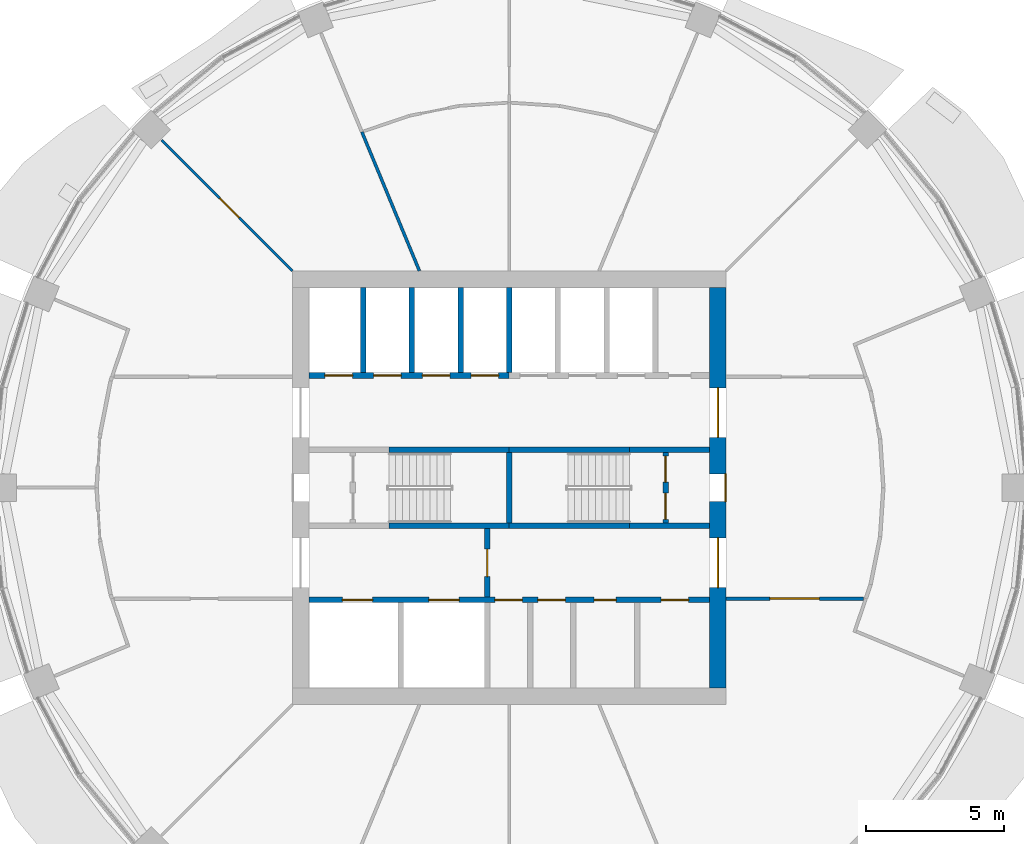
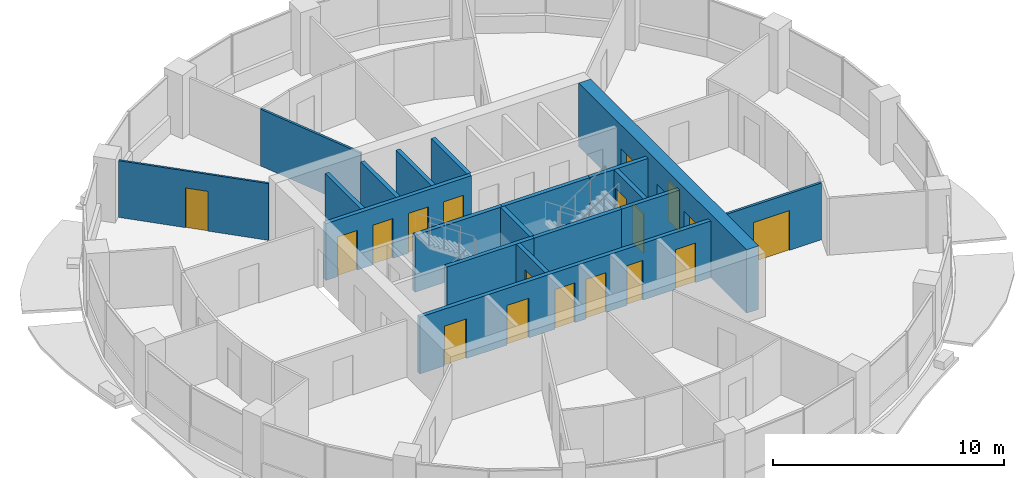
# One storey, part 9 of 15: 19 walls, 18 doors, 18 openings.
"""IFC4 building model written with IfcOpenShell, lengths in metres."""

from ifc_helpers import new_model, si_unit, direction, frame, frame_2d, origin, place, context, subcontext, project, spatial, rectangle, extrude, material, layer, layer_set, type_object, element, fill, save


model = new_model("IFC4")

# Units and contexts
model_context = context("Model", 3, precision=1e-05, world=origin(), true_north=direction((0.0, 1.0)))
body_context = subcontext(model_context, "Body", "Model", "MODEL_VIEW")
ifc_project = project(units=[si_unit("LENGTHUNIT", "METRE"), si_unit("AREAUNIT", "SQUARE_METRE"), si_unit("VOLUMEUNIT", "CUBIC_METRE"), si_unit("PLANEANGLEUNIT", "RADIAN"), si_unit("MASSUNIT", "GRAM", prefix="KILO")], contexts=[model_context])

# Site, building, storey
site_placement = place(None, origin())
site = spatial("IfcSite", under=ifc_project, at=site_placement, CompositionType="ELEMENT")
building_placement = place(site_placement, origin())
building = spatial("IfcBuilding", under=site, at=building_placement, Name="Polderwave Tower", CompositionType="ELEMENT")
storey_placement = place(building_placement, frame((0.0, 0.0, 137.699951171875)))
storey = spatial("IfcBuildingStorey", under=building, at=storey_placement, Name="L36", CompositionType="ELEMENT", Elevation=137.699951171875)

# Wall, openings, doors
ifc_material_1 = material(Name="Concrete C60/75", Category="concrete")
ifc_layer_1 = layer(ifc_material_1, 0.60009765625)
ifc_layer_set_1 = layer_set([ifc_layer_1], Name="CORE WALL 600 C60/75")
wall_type_1 = type_object("IfcWallType", Name="CORE WALL 600 C60/75", PredefinedType="SHEAR", material=ifc_layer_set_1)
wall_1_placement = place(storey_placement, frame((7.573974609375, -7.27392578125, 0.0), z_axis=(0.0, 0.0, 1.0), x_axis=(0.0, 1.0, 0.0)))
wall_1 = element("IfcWall", 1, at=wall_1_placement, inside=storey, type_object=wall_type_1, Name="ST-CORE-L36-E", PredefinedType="SHEAR", context=body_context, shape_type="SweptSolid", body=[
    extrude(rectangle(XDim=14.5478515625, YDim=0.60009765625, at=frame_2d((7.27392578125, 0.0))), origin(), (0.0, 0.0, 1.0), 3.35009765625),
])
opening_1_placement = place(wall_1_placement, frame((6.77392578125, 0.0, 0.0)))
opening_1 = element("IfcOpeningElement", 2, at=opening_1_placement, cuts=wall_1, Name="Opening L36-D23", PredefinedType="OPENING", context=body_context, shape_type="SweptSolid", body=[
    extrude(rectangle(XDim=1.0, YDim=2.10009765625, at=frame_2d((0.5, 1.050048828125))), frame((0.0, 0.31005859375, 0.0), z_axis=(0.0, -1.0, 0.0), x_axis=(1.0, 0.0, 0.0)), (0.0, 0.0, 1.0), 0.6201171875),
])
opening_2_placement = place(wall_1_placement, frame((3.6494140625, 0.0, 0.0)))
opening_2 = element("IfcOpeningElement", 3, at=opening_2_placement, cuts=wall_1, Name="Opening L36-D24", PredefinedType="OPENING", context=body_context, shape_type="SweptSolid", body=[
    extrude(rectangle(XDim=1.800048828125, YDim=2.10009765625, at=frame_2d((0.89990234375, 1.050048828125))), frame((0.0, 0.31005859375, 0.0), z_axis=(0.0, -1.0, 0.0), x_axis=(1.0, 0.0, 0.0)), (0.0, 0.0, 1.0), 0.6201171875),
])
opening_3_placement = place(wall_1_placement, frame((9.098388671875, 0.0, 0.0)))
opening_3 = element("IfcOpeningElement", 4, at=opening_3_placement, cuts=wall_1, Name="Opening L36-D25", PredefinedType="OPENING", context=body_context, shape_type="SweptSolid", body=[
    extrude(rectangle(XDim=1.800048828125, YDim=2.10009765625, at=frame_2d((0.89990234375, 1.050048828125))), frame((0.0, 0.31005859375, 0.0), z_axis=(0.0, -1.0, 0.0), x_axis=(1.0, 0.0, 0.0)), (0.0, 0.0, 1.0), 0.6201171875),
])
ifc_material_2 = material(Name="Steel fire door", Category="steel")
door_type_1 = type_object("IfcDoorType", Name="Lobby entry door pair 1800", OperationType="DOUBLE_DOOR_SINGLE_SWING", PredefinedType="DOOR", material=ifc_material_2)
door_1_placement = place(opening_2_placement, frame((1.800048828125, 0.0, 0.0), z_axis=(0.0, 0.0, 1.0), x_axis=(-1.0, 0.0, 0.0)))
door_1 = element("IfcDoor", 5, at=door_1_placement, inside=storey, type_object=door_type_1, Name="South lobby entry door", OperationType="DOUBLE_DOOR_SINGLE_SWING", OverallHeight=2.10009765625, OverallWidth=1.800048828125, PredefinedType="DOOR", context=body_context, shape_type="SweptSolid", body=[
    extrude(rectangle(XDim=1.800048828125, YDim=2.10009765625, at=frame_2d((0.89990234375, 1.050048828125))), frame((0.0, 0.02490234375, 0.0), z_axis=(0.0, -1.0, 0.0), x_axis=(1.0, 0.0, 0.0)), (0.0, 0.0, 1.0), 0.050048828125),
])
fill(opening_2, door_1)
door_2_placement = place(opening_3_placement, frame((1.800048828125, 0.0, 0.0), z_axis=(0.0, 0.0, 1.0), x_axis=(-1.0, 0.0, 0.0)))
door_2 = element("IfcDoor", 6, at=door_2_placement, inside=storey, type_object=door_type_1, Name="North lobby entry door", OperationType="DOUBLE_DOOR_SINGLE_SWING", OverallHeight=2.10009765625, OverallWidth=1.800048828125, PredefinedType="DOOR", context=body_context, shape_type="SweptSolid", body=[
    extrude(rectangle(XDim=1.800048828125, YDim=2.10009765625, at=frame_2d((0.89990234375, 1.050048828125))), frame((0.0, 0.02490234375, 0.0), z_axis=(0.0, -1.0, 0.0), x_axis=(1.0, 0.0, 0.0)), (0.0, 0.0, 1.0), 0.050048828125),
])
fill(opening_3, door_2)
door_type_2 = type_object("IfcDoorType", Name="Stair door 1000", OperationType="NOTDEFINED", PredefinedType="DOOR", material=ifc_material_2)
door_3_placement = place(opening_1_placement, frame((1.0, 0.0, 0.0), z_axis=(0.0, 0.0, 1.0), x_axis=(-1.0, 0.0, 0.0)))
door_3 = element("IfcDoor", 7, at=door_3_placement, inside=storey, type_object=door_type_2, Name="Stair B entry door", OperationType="SINGLE_SWING_LEFT", OverallHeight=2.10009765625, OverallWidth=1.0, PredefinedType="DOOR", context=body_context, shape_type="SweptSolid", body=[
    extrude(rectangle(XDim=1.0, YDim=2.10009765625, at=frame_2d((0.5, 1.050048828125))), frame((0.0, 0.2998046875, 0.0), z_axis=(0.0, -1.0, 0.0), x_axis=(1.0, 0.0, 0.0)), (0.0, 0.0, 1.0), 0.050048828125),
])
fill(opening_1, door_3)

# Wall, opening, door
ifc_material_3 = material(Name="Gypsum board partition")
ifc_layer_2 = layer(ifc_material_3, 0.199951171875)
ifc_layer_set_2 = layer_set([ifc_layer_2], Name="Core room partition 200")
wall_type_2 = type_object("IfcWallType", Name="Core room partition 200", PredefinedType="PARTITIONING", material=ifc_layer_set_2)
wall_2_placement = place(storey_placement, frame((-0.800048828125, -3.97412109375, 0.0), z_axis=(0.0, 0.0, 1.0), x_axis=(0.0, 1.0, 0.0)))
wall_2 = element("IfcWall", 8, at=wall_2_placement, inside=storey, type_object=wall_type_2, Name="L36 fire-fighting lobby wall", PredefinedType="PARTITIONING", context=body_context, shape_type="SweptSolid", body=[
    extrude(rectangle(XDim=2.4990234375, YDim=0.199951171875, at=frame_2d((1.24951171875, 0.0))), origin(), (0.0, 0.0, 1.0), 3.0),
])
opening_4_placement = place(wall_2_placement, frame((0.74951171875, 0.0, 0.0)))
opening_4 = element("IfcOpeningElement", 9, at=opening_4_placement, cuts=wall_2, Name="Opening L36-D14", PredefinedType="OPENING", context=body_context, shape_type="SweptSolid", body=[
    extrude(rectangle(XDim=1.0, YDim=2.10009765625, at=frame_2d((0.5, 1.050048828125))), frame((0.0, 0.10986328125, 0.0), z_axis=(0.0, -1.0, 0.0), x_axis=(1.0, 0.0, 0.0)), (0.0, 0.0, 1.0), 0.219970703125),
])
door_type_3 = type_object("IfcDoorType", Name="Lobby fire door 1000", OperationType="NOTDEFINED", PredefinedType="DOOR", material=ifc_material_2)
door_4_placement = place(opening_4_placement, frame((1.0, 0.0, 0.0), z_axis=(0.0, 0.0, 1.0), x_axis=(-1.0, 0.0, 0.0)))
door_4 = element("IfcDoor", 10, at=door_4_placement, inside=storey, type_object=door_type_3, Name="Fire-fighting lobby door", OperationType="SINGLE_SWING_LEFT", OverallHeight=2.10009765625, OverallWidth=1.0, PredefinedType="DOOR", context=body_context, shape_type="SweptSolid", body=[
    extrude(rectangle(XDim=1.0, YDim=2.10009765625, at=frame_2d((0.5, 1.050048828125))), frame((0.0, 0.02490234375, 0.0), z_axis=(0.0, -1.0, 0.0), x_axis=(1.0, 0.0, 0.0)), (0.0, 0.0, 1.0), 0.050048828125),
])
fill(opening_4, door_4)

# Wall, openings, doors
wall_3_placement = place(storey_placement, frame((5.674072265625, -1.27490234375, 0.0), z_axis=(0.0, 0.0, 1.0), x_axis=(0.0, 1.0, 0.0)))
wall_3 = element("IfcWall", 11, at=wall_3_placement, inside=storey, type_object=wall_type_2, Name="L36 smoke lobby wall B", PredefinedType="PARTITIONING", context=body_context, shape_type="SweptSolid", body=[
    extrude(rectangle(XDim=2.5498046875, YDim=0.199951171875, at=frame_2d((1.27490234375, 0.0))), origin(), (0.0, 0.0, 1.0), 3.0),
])
opening_5_placement = place(wall_3_placement, frame((0.125, 0.0, 0.0)))
opening_5 = element("IfcOpeningElement", 12, at=opening_5_placement, cuts=wall_3, Name="Opening L36-D12", PredefinedType="OPENING", context=body_context, shape_type="SweptSolid", body=[
    extrude(rectangle(XDim=0.949951171875, YDim=2.10009765625, at=frame_2d((0.47509765625, 1.050048828125))), frame((0.0, 0.10986328125, 0.0), z_axis=(0.0, -1.0, 0.0), x_axis=(1.0, 0.0, 0.0)), (0.0, 0.0, 1.0), 0.219970703125),
])
opening_6_placement = place(wall_3_placement, frame((1.47509765625, 0.0, 0.0)))
opening_6 = element("IfcOpeningElement", 13, at=opening_6_placement, cuts=wall_3, Name="Opening L36-D13", PredefinedType="OPENING", context=body_context, shape_type="SweptSolid", body=[
    extrude(rectangle(XDim=0.949951171875, YDim=2.10009765625, at=frame_2d((0.47509765625, 1.050048828125))), frame((0.0, 0.10986328125, 0.0), z_axis=(0.0, -1.0, 0.0), x_axis=(1.0, 0.0, 0.0)), (0.0, 0.0, 1.0), 0.219970703125),
])
door_type_4 = type_object("IfcDoorType", Name="Smoke lobby door 950", OperationType="NOTDEFINED", PredefinedType="DOOR", material=ifc_material_2)
door_5_placement = place(opening_5_placement, frame((0.949951171875, 0.0, 0.0), z_axis=(0.0, 0.0, 1.0), x_axis=(-1.0, 0.0, 0.0)))
door_5 = element("IfcDoor", 14, at=door_5_placement, inside=storey, type_object=door_type_4, Name="Stair B smoke lobby inner door", OperationType="SINGLE_SWING_RIGHT", OverallHeight=2.10009765625, OverallWidth=0.949951171875, PredefinedType="DOOR", context=body_context, shape_type="SweptSolid", body=[
    extrude(rectangle(XDim=0.949951171875, YDim=2.10009765625, at=frame_2d((0.47509765625, 1.050048828125))), frame((0.0, 0.02490234375, 0.0), z_axis=(0.0, -1.0, 0.0), x_axis=(1.0, 0.0, 0.0)), (0.0, 0.0, 1.0), 0.050048828125),
])
fill(opening_5, door_5)
door_6_placement = place(opening_6_placement, frame((0.949951171875, 0.0, 0.0), z_axis=(0.0, 0.0, 1.0), x_axis=(-1.0, 0.0, 0.0)))
door_6 = element("IfcDoor", 15, at=door_6_placement, inside=storey, type_object=door_type_4, Name="Stair B smoke lobby inner door", OperationType="SINGLE_SWING_LEFT", OverallHeight=2.10009765625, OverallWidth=0.949951171875, PredefinedType="DOOR", context=body_context, shape_type="SweptSolid", body=[
    extrude(rectangle(XDim=0.949951171875, YDim=2.10009765625, at=frame_2d((0.47509765625, 1.050048828125))), frame((0.0, 0.02490234375, 0.0), z_axis=(0.0, -1.0, 0.0), x_axis=(1.0, 0.0, 0.0)), (0.0, 0.0, 1.0), 0.050048828125),
])
fill(opening_6, door_6)

ifc_material_4 = material(Name="Concrete C50/60", Category="concrete")
ifc_layer_3 = layer(ifc_material_4, 0.199951171875)
ifc_layer_set_3 = layer_set([ifc_layer_3], Name="Core web wall 200")
wall_type_3 = type_object("IfcWallType", Name="Core web wall 200", PredefinedType="SHEAR", material=ifc_layer_set_3)
wall_4_placement = place(storey_placement, frame((-7.27392578125, -4.073974609375, 0.0), z_axis=(0.0, 0.0, 1.0), x_axis=(1.0, 0.0, 0.0)))
wall_4 = element("IfcWall", 16, at=wall_4_placement, inside=storey, type_object=wall_type_3, Name="L36 south front wall", PredefinedType="SHEAR", context=body_context, shape_type="SweptSolid", body=[
    extrude(rectangle(XDim=14.5478515625, YDim=0.199951171875, at=frame_2d((7.27392578125, 0.0))), origin(), (0.0, 0.0, 1.0), 3.0),
])
opening_7_placement = place(wall_4_placement, frame((1.218505859375, 0.0, 0.0)))
opening_7 = element("IfcOpeningElement", 17, at=opening_7_placement, cuts=wall_4, Name="Opening L36-D01", PredefinedType="OPENING", context=body_context, shape_type="SweptSolid", body=[
    extrude(rectangle(XDim=1.10009765625, YDim=2.10009765625, at=frame_2d((0.550048828125, 1.050048828125))), frame((0.0, 0.10986328125, 0.0), z_axis=(0.0, -1.0, 0.0), x_axis=(1.0, 0.0, 0.0)), (0.0, 0.0, 1.0), 0.219970703125),
])
opening_8_placement = place(wall_4_placement, frame((4.35546875, 0.0, 0.0)))
opening_8 = element("IfcOpeningElement", 18, at=opening_8_placement, cuts=wall_4, Name="Opening L36-D02", PredefinedType="OPENING", context=body_context, shape_type="SweptSolid", body=[
    extrude(rectangle(XDim=1.10009765625, YDim=2.10009765625, at=frame_2d((0.550048828125, 1.050048828125))), frame((0.0, 0.10986328125, 0.0), z_axis=(0.0, -1.0, 0.0), x_axis=(1.0, 0.0, 0.0)), (0.0, 0.0, 1.0), 0.219970703125),
])
opening_9_placement = place(wall_4_placement, frame((6.753173828125, 0.0, 0.0)))
opening_9 = element("IfcOpeningElement", 19, at=opening_9_placement, cuts=wall_4, Name="Opening L36-D15", PredefinedType="OPENING", context=body_context, shape_type="SweptSolid", body=[
    extrude(rectangle(XDim=1.0, YDim=2.10009765625, at=frame_2d((0.5, 1.050048828125))), frame((0.0, 0.10986328125, 0.0), z_axis=(0.0, -1.0, 0.0), x_axis=(1.0, 0.0, 0.0)), (0.0, 0.0, 1.0), 0.219970703125),
])
opening_10_placement = place(wall_4_placement, frame((8.3115234375, 0.0, 0.0)))
opening_10 = element("IfcOpeningElement", 20, at=opening_10_placement, cuts=wall_4, Name="Opening L36-D16", PredefinedType="OPENING", context=body_context, shape_type="SweptSolid", body=[
    extrude(rectangle(XDim=1.0, YDim=2.10009765625, at=frame_2d((0.5, 1.050048828125))), frame((0.0, 0.10986328125, 0.0), z_axis=(0.0, -1.0, 0.0), x_axis=(1.0, 0.0, 0.0)), (0.0, 0.0, 1.0), 0.219970703125),
])
opening_11_placement = place(wall_4_placement, frame((10.35791015625, 0.0, 0.0)))
opening_11 = element("IfcOpeningElement", 21, at=opening_11_placement, cuts=wall_4, Name="Opening L36-D17", PredefinedType="OPENING", context=body_context, shape_type="SweptSolid", body=[
    extrude(rectangle(XDim=0.800048828125, YDim=2.10009765625, at=frame_2d((0.39990234375, 1.050048828125))), frame((0.0, 0.10986328125, 0.0), z_axis=(0.0, -1.0, 0.0), x_axis=(1.0, 0.0, 0.0)), (0.0, 0.0, 1.0), 0.219970703125),
])
opening_12_placement = place(wall_4_placement, frame((12.78662109375, 0.0, 0.0)))
opening_12 = element("IfcOpeningElement", 22, at=opening_12_placement, cuts=wall_4, Name="Opening L36-D18", PredefinedType="OPENING", context=body_context, shape_type="SweptSolid", body=[
    extrude(rectangle(XDim=1.0, YDim=2.10009765625, at=frame_2d((0.5, 1.050048828125))), frame((0.0, 0.10986328125, 0.0), z_axis=(0.0, -1.0, 0.0), x_axis=(1.0, 0.0, 0.0)), (0.0, 0.0, 1.0), 0.219970703125),
])
ifc_material_5 = material(Name="Timber door leaf", Category="wood")
door_type_5 = type_object("IfcDoorType", Name="Accessible WC door 1000", OperationType="NOTDEFINED", PredefinedType="DOOR", material=ifc_material_5)
door_7_placement = place(opening_9_placement, frame((1.0, 0.0, 0.0), z_axis=(0.0, 0.0, 1.0), x_axis=(-1.0, 0.0, 0.0)))
door_7 = element("IfcDoor", 23, at=door_7_placement, inside=storey, type_object=door_type_5, Name="Accessible WC door", OperationType="SINGLE_SWING_RIGHT", OverallHeight=2.10009765625, OverallWidth=1.0, PredefinedType="DOOR", context=body_context, shape_type="SweptSolid", body=[
    extrude(rectangle(XDim=1.0, YDim=2.10009765625, at=frame_2d((0.5, 1.050048828125))), frame((0.0, 0.02490234375, 0.0), z_axis=(0.0, -1.0, 0.0), x_axis=(1.0, 0.0, 0.0)), (0.0, 0.0, 1.0), 0.050048828125),
])
fill(opening_9, door_7)
ifc_material_6 = material(Name="Stainless steel", Category="steel")
door_type_6 = type_object("IfcDoorType", Name="Fire-fighting lift landing door 1100", OperationType="DOUBLE_DOOR_SLIDING", PredefinedType="DOOR", material=ifc_material_6)
door_8_placement = place(opening_7_placement, origin())
door_8 = element("IfcDoor", 24, at=door_8_placement, inside=storey, type_object=door_type_6, Name="Fire-fighting lift FF1 landing door", OperationType="DOUBLE_DOOR_SLIDING", OverallHeight=2.10009765625, OverallWidth=1.10009765625, PredefinedType="DOOR", context=body_context, shape_type="SweptSolid", body=[
    extrude(rectangle(XDim=1.10009765625, YDim=2.10009765625, at=frame_2d((0.550048828125, 1.050048828125))), frame((0.0, 0.02490234375, 0.0), z_axis=(0.0, -1.0, 0.0), x_axis=(1.0, 0.0, 0.0)), (0.0, 0.0, 1.0), 0.050048828125),
])
fill(opening_7, door_8)
door_9_placement = place(opening_8_placement, origin())
door_9 = element("IfcDoor", 25, at=door_9_placement, inside=storey, type_object=door_type_6, Name="Fire-fighting lift FF2 landing door", OperationType="DOUBLE_DOOR_SLIDING", OverallHeight=2.10009765625, OverallWidth=1.10009765625, PredefinedType="DOOR", context=body_context, shape_type="SweptSolid", body=[
    extrude(rectangle(XDim=1.10009765625, YDim=2.10009765625, at=frame_2d((0.550048828125, 1.050048828125))), frame((0.0, 0.02490234375, 0.0), z_axis=(0.0, -1.0, 0.0), x_axis=(1.0, 0.0, 0.0)), (0.0, 0.0, 1.0), 0.050048828125),
])
fill(opening_8, door_9)
door_type_7 = type_object("IfcDoorType", Name="Riser door 800", OperationType="NOTDEFINED", PredefinedType="DOOR", material=ifc_material_2)
door_10_placement = place(opening_11_placement, origin())
door_10 = element("IfcDoor", 26, at=door_10_placement, inside=storey, type_object=door_type_7, Name="Electrical room door", OperationType="SINGLE_SWING_RIGHT", OverallHeight=2.10009765625, OverallWidth=0.800048828125, PredefinedType="DOOR", context=body_context, shape_type="SweptSolid", body=[
    extrude(rectangle(XDim=0.800048828125, YDim=2.10009765625, at=frame_2d((0.39990234375, 1.050048828125))), frame((0.0, 0.02490234375, 0.0), z_axis=(0.0, -1.0, 0.0), x_axis=(1.0, 0.0, 0.0)), (0.0, 0.0, 1.0), 0.050048828125),
])
fill(opening_11, door_10)
door_type_8 = type_object("IfcDoorType", Name="Room door 1000", OperationType="NOTDEFINED", PredefinedType="DOOR", material=ifc_material_5)
door_11_placement = place(opening_10_placement, frame((1.0, 0.0, 0.0), z_axis=(0.0, 0.0, 1.0), x_axis=(-1.0, 0.0, 0.0)))
door_11 = element("IfcDoor", 27, at=door_11_placement, inside=storey, type_object=door_type_8, Name="Staff WC door", OperationType="SINGLE_SWING_LEFT", OverallHeight=2.10009765625, OverallWidth=1.0, PredefinedType="DOOR", context=body_context, shape_type="SweptSolid", body=[
    extrude(rectangle(XDim=1.0, YDim=2.10009765625, at=frame_2d((0.5, 1.050048828125))), frame((0.0, 0.02490234375, 0.0), z_axis=(0.0, -1.0, 0.0), x_axis=(1.0, 0.0, 0.0)), (0.0, 0.0, 1.0), 0.050048828125),
])
fill(opening_10, door_11)
door_12_placement = place(opening_12_placement, frame((1.0, 0.0, 0.0), z_axis=(0.0, 0.0, 1.0), x_axis=(-1.0, 0.0, 0.0)))
door_12 = element("IfcDoor", 28, at=door_12_placement, inside=storey, type_object=door_type_8, Name="Store door", OperationType="SINGLE_SWING_LEFT", OverallHeight=2.10009765625, OverallWidth=1.0, PredefinedType="DOOR", context=body_context, shape_type="SweptSolid", body=[
    extrude(rectangle(XDim=1.0, YDim=2.10009765625, at=frame_2d((0.5, 1.050048828125))), frame((0.0, 0.02490234375, 0.0), z_axis=(0.0, -1.0, 0.0), x_axis=(1.0, 0.0, 0.0)), (0.0, 0.0, 1.0), 0.050048828125),
])
fill(opening_12, door_12)

wall_5_placement = place(storey_placement, frame((-7.27392578125, 4.073974609375, 0.0), z_axis=(0.0, 0.0, 1.0), x_axis=(1.0, 0.0, 0.0)))
wall_5 = element("IfcWall", 29, at=wall_5_placement, inside=storey, type_object=wall_type_3, Name="L36 north front wall 1", PredefinedType="SHEAR", context=body_context, shape_type="SweptSolid", body=[
    extrude(rectangle(XDim=7.27392578125, YDim=0.199951171875, at=frame_2d((3.636962890625, 0.0))), origin(), (0.0, 0.0, 1.0), 3.0),
])
opening_13_placement = place(wall_5_placement, frame((0.584228515625, 0.0, 0.0)))
opening_13 = element("IfcOpeningElement", 30, at=opening_13_placement, cuts=wall_5, Name="Opening L36-D03", PredefinedType="OPENING", context=body_context, shape_type="SweptSolid", body=[
    extrude(rectangle(XDim=1.0, YDim=2.10009765625, at=frame_2d((0.5, 1.050048828125))), frame((0.0, 0.10986328125, 0.0), z_axis=(0.0, -1.0, 0.0), x_axis=(1.0, 0.0, 0.0)), (0.0, 0.0, 1.0), 0.219970703125),
])
opening_14_placement = place(wall_5_placement, frame((2.352783203125, 0.0, 0.0)))
opening_14 = element("IfcOpeningElement", 31, at=opening_14_placement, cuts=wall_5, Name="Opening L36-D04", PredefinedType="OPENING", context=body_context, shape_type="SweptSolid", body=[
    extrude(rectangle(XDim=1.0, YDim=2.10009765625, at=frame_2d((0.5, 1.050048828125))), frame((0.0, 0.10986328125, 0.0), z_axis=(0.0, -1.0, 0.0), x_axis=(1.0, 0.0, 0.0)), (0.0, 0.0, 1.0), 0.219970703125),
])
opening_15_placement = place(wall_5_placement, frame((4.12109375, 0.0, 0.0)))
opening_15 = element("IfcOpeningElement", 32, at=opening_15_placement, cuts=wall_5, Name="Opening L36-D05", PredefinedType="OPENING", context=body_context, shape_type="SweptSolid", body=[
    extrude(rectangle(XDim=1.0, YDim=2.10009765625, at=frame_2d((0.5, 1.050048828125))), frame((0.0, 0.10986328125, 0.0), z_axis=(0.0, -1.0, 0.0), x_axis=(1.0, 0.0, 0.0)), (0.0, 0.0, 1.0), 0.219970703125),
])
opening_16_placement = place(wall_5_placement, frame((5.889892578125, 0.0, 0.0)))
opening_16 = element("IfcOpeningElement", 33, at=opening_16_placement, cuts=wall_5, Name="Opening L36-D06", PredefinedType="OPENING", context=body_context, shape_type="SweptSolid", body=[
    extrude(rectangle(XDim=1.0, YDim=2.10009765625, at=frame_2d((0.5, 1.050048828125))), frame((0.0, 0.10986328125, 0.0), z_axis=(0.0, -1.0, 0.0), x_axis=(1.0, 0.0, 0.0)), (0.0, 0.0, 1.0), 0.219970703125),
])
door_type_9 = type_object("IfcDoorType", Name="Lift landing door 1000", OperationType="DOUBLE_DOOR_SLIDING", PredefinedType="DOOR", material=ifc_material_6)
door_13_placement = place(opening_13_placement, frame((1.0, 0.0, 0.0), z_axis=(0.0, 0.0, 1.0), x_axis=(-1.0, 0.0, 0.0)))
door_13 = element("IfcDoor", 34, at=door_13_placement, inside=storey, type_object=door_type_9, Name="Lift HL1 landing door", OperationType="DOUBLE_DOOR_SLIDING", OverallHeight=2.10009765625, OverallWidth=1.0, PredefinedType="DOOR", context=body_context, shape_type="SweptSolid", body=[
    extrude(rectangle(XDim=1.0, YDim=2.10009765625, at=frame_2d((0.5, 1.050048828125))), frame((0.0, 0.02490234375, 0.0), z_axis=(0.0, -1.0, 0.0), x_axis=(1.0, 0.0, 0.0)), (0.0, 0.0, 1.0), 0.050048828125),
])
fill(opening_13, door_13)
door_14_placement = place(opening_14_placement, frame((1.0, 0.0, 0.0), z_axis=(0.0, 0.0, 1.0), x_axis=(-1.0, 0.0, 0.0)))
door_14 = element("IfcDoor", 35, at=door_14_placement, inside=storey, type_object=door_type_9, Name="Lift HL2 landing door", OperationType="DOUBLE_DOOR_SLIDING", OverallHeight=2.10009765625, OverallWidth=1.0, PredefinedType="DOOR", context=body_context, shape_type="SweptSolid", body=[
    extrude(rectangle(XDim=1.0, YDim=2.10009765625, at=frame_2d((0.5, 1.050048828125))), frame((0.0, 0.02490234375, 0.0), z_axis=(0.0, -1.0, 0.0), x_axis=(1.0, 0.0, 0.0)), (0.0, 0.0, 1.0), 0.050048828125),
])
fill(opening_14, door_14)
door_15_placement = place(opening_15_placement, frame((1.0, 0.0, 0.0), z_axis=(0.0, 0.0, 1.0), x_axis=(-1.0, 0.0, 0.0)))
door_15 = element("IfcDoor", 36, at=door_15_placement, inside=storey, type_object=door_type_9, Name="Lift HL3 landing door", OperationType="DOUBLE_DOOR_SLIDING", OverallHeight=2.10009765625, OverallWidth=1.0, PredefinedType="DOOR", context=body_context, shape_type="SweptSolid", body=[
    extrude(rectangle(XDim=1.0, YDim=2.10009765625, at=frame_2d((0.5, 1.050048828125))), frame((0.0, 0.02490234375, 0.0), z_axis=(0.0, -1.0, 0.0), x_axis=(1.0, 0.0, 0.0)), (0.0, 0.0, 1.0), 0.050048828125),
])
fill(opening_15, door_15)
door_16_placement = place(opening_16_placement, frame((1.0, 0.0, 0.0), z_axis=(0.0, 0.0, 1.0), x_axis=(-1.0, 0.0, 0.0)))
door_16 = element("IfcDoor", 37, at=door_16_placement, inside=storey, type_object=door_type_9, Name="Lift HL4 landing door", OperationType="DOUBLE_DOOR_SLIDING", OverallHeight=2.10009765625, OverallWidth=1.0, PredefinedType="DOOR", context=body_context, shape_type="SweptSolid", body=[
    extrude(rectangle(XDim=1.0, YDim=2.10009765625, at=frame_2d((0.5, 1.050048828125))), frame((0.0, 0.02490234375, 0.0), z_axis=(0.0, -1.0, 0.0), x_axis=(1.0, 0.0, 0.0)), (0.0, 0.0, 1.0), 0.050048828125),
])
fill(opening_16, door_16)

# Walls
for number, where, z_axis, x_axis, name in (
    (38, (-4.3740234375, -1.375, 0.0), (0.0, 0.0, 1.0), (1.0, 0.0, 0.0), "L36 south stair wall 2"),
    (39, (0.0, -1.375, 0.0), (0.0, 0.0, 1.0), (1.0, 0.0, 0.0), "L36 south stair wall 3"),
):
    element("IfcWall", number, at=place(storey_placement, frame(where, z_axis=z_axis, x_axis=x_axis)), inside=storey, type_object=wall_type_3, Name=name, PredefinedType="SHEAR", context=body_context, shape_type="SweptSolid", body=[
        extrude(rectangle(XDim=4.3740234375, YDim=0.199951171875, at=frame_2d((2.18701171875, 0.0))), origin(), (0.0, 0.0, 1.0), 3.0),
    ])
wall_6_placement = place(storey_placement, frame((4.3740234375, -1.375, 0.0), z_axis=(0.0, 0.0, 1.0), x_axis=(1.0, 0.0, 0.0)))
element("IfcWall", 40, at=wall_6_placement, inside=storey, type_object=wall_type_3, Name="L36 south stair wall 4", PredefinedType="SHEAR", context=body_context, shape_type="SweptSolid", body=[
    extrude(rectangle(XDim=2.89990234375, YDim=0.199951171875, at=frame_2d((1.449951171875, 0.0))), origin(), (0.0, 0.0, 1.0), 3.0),
])
for number, where, z_axis, x_axis, name in (
    (41, (-4.3740234375, 1.375, 0.0), (0.0, 0.0, 1.0), (1.0, 0.0, 0.0), "L36 north stair wall 2"),
    (42, (0.0, 1.375, 0.0), (0.0, 0.0, 1.0), (1.0, 0.0, 0.0), "L36 north stair wall 3"),
):
    element("IfcWall", number, at=place(storey_placement, frame(where, z_axis=z_axis, x_axis=x_axis)), inside=storey, type_object=wall_type_3, Name=name, PredefinedType="SHEAR", context=body_context, shape_type="SweptSolid", body=[
        extrude(rectangle(XDim=4.3740234375, YDim=0.199951171875, at=frame_2d((2.18701171875, 0.0))), origin(), (0.0, 0.0, 1.0), 3.0),
    ])
wall_7_placement = place(storey_placement, frame((4.3740234375, 1.375, 0.0), z_axis=(0.0, 0.0, 1.0), x_axis=(1.0, 0.0, 0.0)))
element("IfcWall", 43, at=wall_7_placement, inside=storey, type_object=wall_type_3, Name="L36 north stair wall 4", PredefinedType="SHEAR", context=body_context, shape_type="SweptSolid", body=[
    extrude(rectangle(XDim=2.89990234375, YDim=0.199951171875, at=frame_2d((1.449951171875, 0.0))), origin(), (0.0, 0.0, 1.0), 3.0),
])
wall_8_placement = place(storey_placement, frame((0.0, -1.27490234375, 0.0), z_axis=(0.0, 0.0, 1.0), x_axis=(0.0, 1.0, 0.0)))
element("IfcWall", 44, at=wall_8_placement, inside=storey, type_object=wall_type_3, Name="L36 wall between the stairs", PredefinedType="SHEAR", context=body_context, shape_type="SweptSolid", body=[
    extrude(rectangle(XDim=2.5498046875, YDim=0.199951171875, at=frame_2d((1.27490234375, 0.0))), origin(), (0.0, 0.0, 1.0), 3.0),
])

# Wall, opening, door
ifc_material_7 = material(Name="Fire-resisting board on steel studs", Category="steel")
ifc_layer_4 = layer(ifc_material_7, 0.125)
ifc_layer_set_4 = layer_set([ifc_layer_4], Name="Corridor wall 125 mm EI 60")
wall_type_4 = type_object("IfcWallType", Name="Corridor wall 125 mm EI 60", PredefinedType="PARTITIONING", material=ifc_layer_set_4)
wall_9_placement = place(storey_placement, frame((12.85693359375, -4.0244140625, 0.0), z_axis=(0.0, 0.0, 1.0), x_axis=(-1.0, 0.0, 0.0)))
wall_9 = element("IfcWall", 45, at=wall_9_placement, inside=storey, type_object=wall_type_4, Name="IN-L36-W008", PredefinedType="PARTITIONING", context=body_context, shape_type="SweptSolid", body=[
    extrude(rectangle(XDim=4.98291015625, YDim=0.125, at=frame_2d((2.491455078125, 0.0))), origin(), (0.0, 0.0, 1.0), 3.0),
])
opening_17_placement = place(wall_9_placement, frame((1.60009765625, 0.0, 0.0)))
opening_17 = element("IfcOpeningElement", 46, at=opening_17_placement, cuts=wall_9, Name="Opening L36-D52", PredefinedType="OPENING", context=body_context, shape_type="SweptSolid", body=[
    extrude(rectangle(XDim=1.800048828125, YDim=2.10009765625, at=frame_2d((0.89990234375, 1.050048828125))), frame((0.0, 0.072509765625, 0.0), z_axis=(0.0, -1.0, 0.0), x_axis=(1.0, 0.0, 0.0)), (0.0, 0.0, 1.0), 0.14501953125),
])
ifc_material_8 = material(Name="Timber fire door leaves", Category="wood")
door_type_10 = type_object("IfcDoorType", Name="Double fire door FD30S 1800 x 2100", OperationType="NOTDEFINED", PredefinedType="DOOR", material=ifc_material_8)
door_17_placement = place(opening_17_placement, origin())
door_17 = element("IfcDoor", 47, at=door_17_placement, inside=storey, type_object=door_type_10, Name="Door L36-D52", OperationType="DOUBLE_DOOR_SINGLE_SWING", OverallHeight=2.10009765625, OverallWidth=1.800048828125, PredefinedType="DOOR", context=body_context, shape_type="SweptSolid", body=[
    extrude(rectangle(XDim=1.800048828125, YDim=2.10009765625, at=frame_2d((0.89990234375, 1.050048828125))), frame((0.0, 0.02490234375, 0.0), z_axis=(0.0, -1.0, 0.0), x_axis=(1.0, 0.0, 0.0)), (0.0, 0.0, 1.0), 0.050048828125),
])
fill(opening_17, door_17)

ifc_material_9 = material(Name="Plasterboard on steel studs", Category="steel")
ifc_layer_5 = layer(ifc_material_9, 0.10009765625)
ifc_layer_set_5 = layer_set([ifc_layer_5], Name="Partition 100 mm plasterboard on steel studs")
wall_type_5 = type_object("IfcWallType", Name="Partition 100 mm plasterboard on steel studs", PredefinedType="PARTITIONING", material=ifc_layer_set_5)
wall_10_placement = place(storey_placement, frame((-12.621826171875, 12.621826171875, 0.0), z_axis=(0.0, 0.0, 1.0), x_axis=(0.707106781187, -0.707106781187, 0.0)))
wall_10 = element("IfcWall", 48, at=wall_10_placement, inside=storey, type_object=wall_type_5, Name="IN-L36-W034", PredefinedType="PARTITIONING", context=body_context, shape_type="SweptSolid", body=[
    extrude(rectangle(XDim=6.71435546875, YDim=0.10009765625, at=frame_2d((3.357177734375, 0.0))), origin(), (0.0, 0.0, 1.0), 3.0),
])
opening_18_placement = place(wall_10_placement, frame((3.0, 0.0, 0.0)))
opening_18 = element("IfcOpeningElement", 49, at=opening_18_placement, cuts=wall_10, Name="Opening L36-D62", PredefinedType="OPENING", context=body_context, shape_type="SweptSolid", body=[
    extrude(rectangle(XDim=1.0, YDim=2.10009765625, at=frame_2d((0.5, 1.050048828125))), frame((0.0, 0.06005859375, 0.0), z_axis=(0.0, -1.0, 0.0), x_axis=(1.0, 0.0, 0.0)), (0.0, 0.0, 1.0), 0.1201171875),
])
ifc_material_10 = material(Name="Timber veneer door leaf", Category="wood")
door_type_11 = type_object("IfcDoorType", Name="Single door 1000 x 2100", OperationType="NOTDEFINED", PredefinedType="DOOR", material=ifc_material_10)
door_18_placement = place(opening_18_placement, origin())
door_18 = element("IfcDoor", 50, at=door_18_placement, inside=storey, type_object=door_type_11, Name="Door L36-D62", OperationType="SINGLE_SWING_RIGHT", OverallHeight=2.10009765625, OverallWidth=1.0, PredefinedType="DOOR", context=body_context, shape_type="SweptSolid", body=[
    extrude(rectangle(XDim=1.0, YDim=2.10009765625, at=frame_2d((0.5, 1.050048828125))), frame((0.0, 0.02490234375, 0.0), z_axis=(0.0, -1.0, 0.0), x_axis=(1.0, 0.0, 0.0)), (0.0, 0.0, 1.0), 0.050048828125),
])
fill(opening_18, door_18)

# Walls
ifc_material_11 = material(Name="Acoustic double plasterboard on steel studs", Category="steel")
ifc_layer_6 = layer(ifc_material_11, 0.110107421875)
ifc_layer_set_6 = layer_set([ifc_layer_6], Name="Partition 110 mm acoustic double board")
wall_type_6 = type_object("IfcWallType", Name="Partition 110 mm acoustic double board", PredefinedType="PARTITIONING", material=ifc_layer_set_6)
wall_11_placement = place(storey_placement, frame((-3.261474609375, 7.8740234375, 0.0), z_axis=(0.0, 0.0, 1.0), x_axis=(-0.38268632394, 0.923878334777, 0.0)))
element("IfcWall", 51, at=wall_11_placement, inside=storey, type_object=wall_type_6, Name="IN-L36-W032", PredefinedType="PARTITIONING", context=body_context, shape_type="SweptSolid", body=[
    extrude(rectangle(XDim=5.457275390625, YDim=0.110107421875, at=frame_2d((2.728515625, 0.0))), origin(), (0.0, 0.0, 1.0), 3.0),
])
ifc_material_12 = material(Name="Gypsum shaft wall system")
ifc_layer_7 = layer(ifc_material_12, 0.199951171875)
ifc_layer_set_7 = layer_set([ifc_layer_7], Name="Shaft wall 200")
wall_type_7 = type_object("IfcWallType", Name="Shaft wall 200", PredefinedType="PARTITIONING", material=ifc_layer_set_7)
for number, where, z_axis, x_axis, name in (
    (52, (-5.305419921875, 4.174072265625, 0.0), (0.0, 0.0, 1.0), (0.0, 1.0, 0.0), "L36 lift shaft wall N1"),
    (53, (-3.537109375, 4.174072265625, 0.0), (0.0, 0.0, 1.0), (0.0, 1.0, 0.0), "L36 lift shaft wall N2"),
    (54, (-1.7685546875, 4.174072265625, 0.0), (0.0, 0.0, 1.0), (0.0, 1.0, 0.0), "L36 lift shaft wall N3"),
    (55, (0.0, 4.174072265625, 0.0), (0.0, 0.0, 1.0), (0.0, 1.0, 0.0), "L36 lift shaft wall N4"),
):
    element("IfcWall", number, at=place(storey_placement, frame(where, z_axis=z_axis, x_axis=x_axis)), inside=storey, type_object=wall_type_7, Name=name, PredefinedType="PARTITIONING", context=body_context, shape_type="SweptSolid", body=[
        extrude(rectangle(XDim=3.099853515625, YDim=0.199951171875, at=frame_2d((1.5498046875, 0.0))), origin(), (0.0, 0.0, 1.0), 3.0),
    ])

save(model, "model.ifc")
